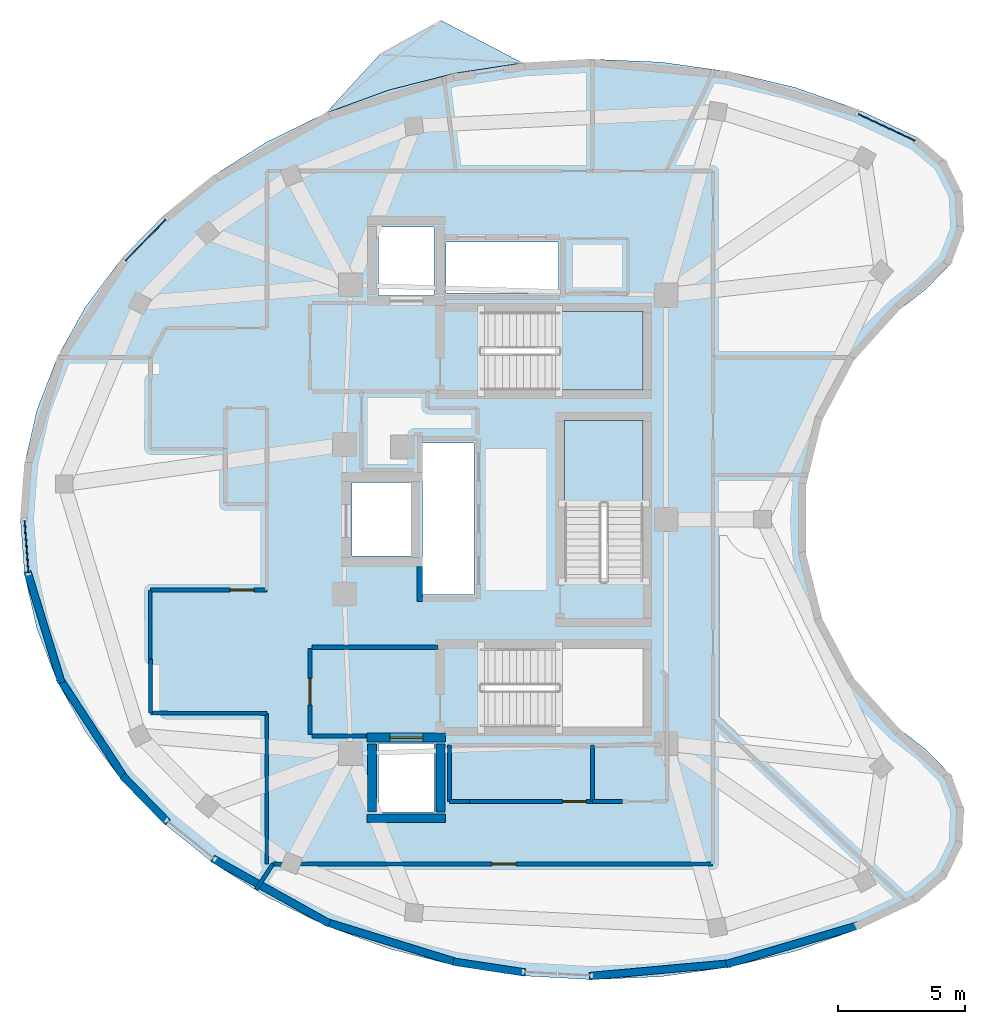
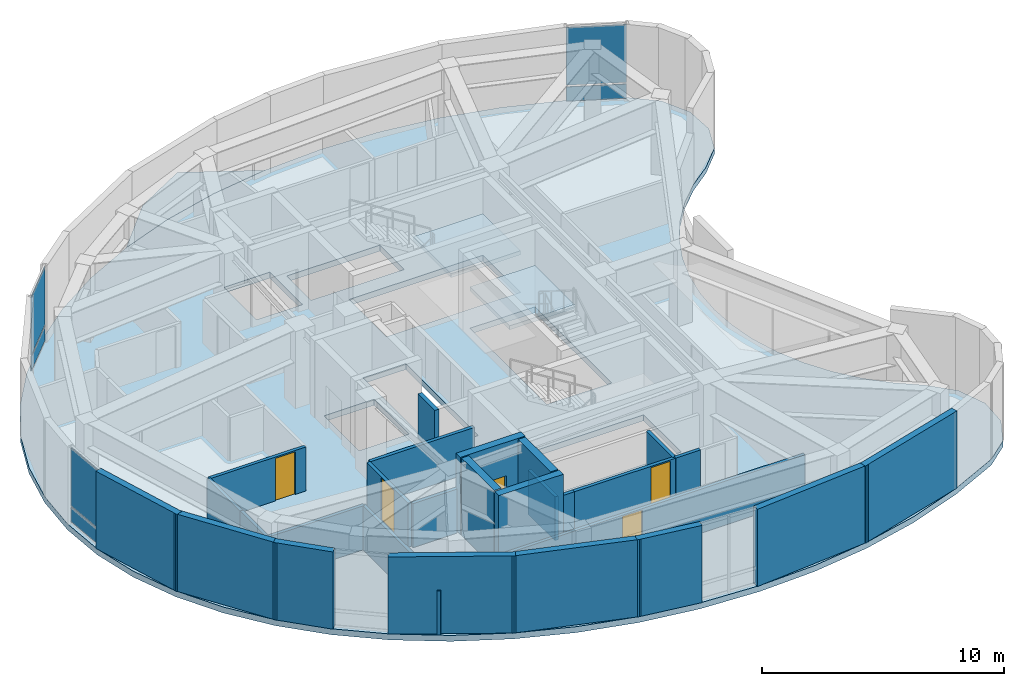
# One storey, part 3 of 8: 28 walls, 6 plates, 5 doors, 4 slabs, 5 openings, 5 elements without a shape of their own.
"""IFC4 building model written with IfcOpenShell, lengths in metres."""

from ifc_helpers import new_model, si_unit, direction, frame, frame_2d, origin, origin_2d, place, context, subcontext, project, spatial, polyline, rectangle, outline, extrude, material, layer, layer_set, type_object, element, fill, aggregate, save


model = new_model("IFC4")

# Units and contexts
model_context = context("Model", 3, precision=1e-05, world=origin(), true_north=direction((0.0, 1.0)))
body_context = subcontext(model_context, "Body", "Model", "MODEL_VIEW")
ifc_project = project(units=[si_unit("LENGTHUNIT", "METRE"), si_unit("AREAUNIT", "SQUARE_METRE"), si_unit("VOLUMEUNIT", "CUBIC_METRE"), si_unit("PLANEANGLEUNIT", "RADIAN"), si_unit("MASSUNIT", "GRAM", prefix="KILO")], contexts=[model_context])

# Site, building, storey
site_placement = place(None, origin())
site = spatial("IfcSite", under=ifc_project, at=site_placement, CompositionType="ELEMENT")
building_placement = place(site_placement, origin())
building = spatial("IfcBuilding", under=site, at=building_placement, Name="Korentha Bioscience Tower", CompositionType="ELEMENT")
storey_placement = place(building_placement, frame((0.0, 0.0, 314.39990234375)))
storey = spatial("IfcBuildingStorey", under=building, at=storey_placement, Name="L72", CompositionType="ELEMENT", Elevation=314.39990234375)

# Curtain wall, plates
ifc_material_1 = material(Name="Structural Silicone Glazed Aluminium", Category="aluminium")
ifc_layer_1 = layer(ifc_material_1, 0.219970703125, Name="Structural Silicone Glazed Aluminium")
ifc_layer_set_1 = layer_set([ifc_layer_1], Name="Structural Silicone Glazed Aluminium (CW-O1)")
curtain_wall_type = type_object("IfcCurtainWallType", Name="Sky Observatory Acoustic Curtain Wall CW-O1", PredefinedType="USERDEFINED", material=ifc_layer_set_1)
curtain_wall_1_placement = place(storey_placement, origin())
curtain_wall_1 = element("IfcCurtainWall", 1, at=curtain_wall_1_placement, inside=storey, type_object=curtain_wall_type, Name="L72 Curtain Wall 01", ObjectType="UNITISED", PredefinedType="USERDEFINED")
ifc_material_2 = material(Name="Triple-Glazed Low-E Insulated Glass", Category="glass")
ifc_layer_2 = layer(ifc_material_2, 0.0439453125, Name="Triple-Glazed Low-E Insulated Glass")
ifc_layer_set_2 = layer_set([ifc_layer_2], Name="Triple-Glazed Low-E Insulated Glass (GL-44)")
plate_type = type_object("IfcPlateType", Name="Glazed Panel 44mm", PredefinedType="CURTAIN_PANEL", material=ifc_layer_set_2)
plate_1_placement = place(storey_placement, frame((46.267578125, 42.4755859375, 0.08984375), z_axis=(0.0, 0.0, 1.0), x_axis=(-0.904397382054, 0.426691194347, 0.0)))
plate_1 = element("IfcPlate", 2, at=plate_1_placement, type_object=plate_type, Name="CW-L72-01 Bay 1 Glazed Panel 1", PredefinedType="CURTAIN_PANEL", context=body_context, shape_type="SweptSolid", body=[
    extrude(rectangle(XDim=2.501708984375, YDim=0.0439453125, at=origin_2d()), origin(), (0.0, 0.0, 1.0), 0.715087890625),
])
plate_2_placement = place(storey_placement, frame((46.267578125, 42.4755859375, 0.89501953125), z_axis=(0.0, 0.0, 1.0), x_axis=(-0.904397382054, 0.426691194347, 0.0)))
plate_2 = element("IfcPlate", 3, at=plate_2_placement, type_object=plate_type, Name="CW-L72-01 Bay 1 Glazed Panel 2", PredefinedType="CURTAIN_PANEL", context=body_context, shape_type="SweptSolid", body=[
    extrude(rectangle(XDim=2.501708984375, YDim=0.0439453125, at=origin_2d()), origin(), (0.0, 0.0, 1.0), 2.9150390625),
])
aggregate(curtain_wall_1, [plate_1, plate_2])

curtain_wall_2_placement = place(storey_placement, origin())
curtain_wall_2 = element("IfcCurtainWall", 4, at=curtain_wall_2_placement, inside=storey, type_object=curtain_wall_type, Name="L72 Curtain Wall 13", ObjectType="UNITISED", PredefinedType="USERDEFINED")
plate_3_placement = place(storey_placement, frame((17.0009765625, 38.0283203125, 0.08984375), z_axis=(0.0, 0.0, 1.0), x_axis=(-0.697567217128, -0.716519349067, 0.0)))
plate_3 = element("IfcPlate", 5, at=plate_3_placement, type_object=plate_type, Name="CW-L72-13 Bay 1 Glazed Panel 1", PredefinedType="CURTAIN_PANEL", context=body_context, shape_type="SweptSolid", body=[
    extrude(rectangle(XDim=2.30517578125, YDim=0.0439453125, at=origin_2d()), origin(), (0.0, 0.0, 1.0), 0.715087890625),
])
plate_4_placement = place(storey_placement, frame((17.0009765625, 38.0283203125, 0.89501953125), z_axis=(0.0, 0.0, 1.0), x_axis=(-0.697567217128, -0.716519349067, 0.0)))
plate_4 = element("IfcPlate", 6, at=plate_4_placement, type_object=plate_type, Name="CW-L72-13 Bay 1 Glazed Panel 2", PredefinedType="CURTAIN_PANEL", context=body_context, shape_type="SweptSolid", body=[
    extrude(rectangle(XDim=2.30517578125, YDim=0.0439453125, at=origin_2d()), origin(), (0.0, 0.0, 1.0), 2.9150390625),
])
aggregate(curtain_wall_2, [plate_3, plate_4])

curtain_wall_3_placement = place(storey_placement, origin())
curtain_wall_3 = element("IfcCurtainWall", 7, at=curtain_wall_3_placement, inside=storey, type_object=curtain_wall_type, Name="L72 Curtain Wall 19", ObjectType="UNITISED", PredefinedType="USERDEFINED")
plate_5_placement = place(storey_placement, frame((12.302490234375, 25.922119140625, 0.08984375), z_axis=(0.0, 0.0, 1.0), x_axis=(0.075073021346, -0.997178039001, 0.0)))
plate_5 = element("IfcPlate", 8, at=plate_5_placement, type_object=plate_type, Name="CW-L72-19 Bay 1 Glazed Panel 1", PredefinedType="CURTAIN_PANEL", context=body_context, shape_type="SweptSolid", body=[
    extrude(rectangle(XDim=2.085693359375, YDim=0.0439453125, at=origin_2d()), origin(), (0.0, 0.0, 1.0), 0.715087890625),
])
plate_6_placement = place(storey_placement, frame((12.302490234375, 25.922119140625, 0.89501953125), z_axis=(0.0, 0.0, 1.0), x_axis=(0.075073021346, -0.997178039001, 0.0)))
plate_6 = element("IfcPlate", 9, at=plate_6_placement, type_object=plate_type, Name="CW-L72-19 Bay 1 Glazed Panel 2", PredefinedType="CURTAIN_PANEL", context=body_context, shape_type="SweptSolid", body=[
    extrude(rectangle(XDim=2.085693359375, YDim=0.0439453125, at=origin_2d()), origin(), (0.0, 0.0, 1.0), 2.9150390625),
])
aggregate(curtain_wall_3, [plate_5, plate_6])

# Slab
ifc_material_3 = material(Name="Concrete C50", Category="concrete")
ifc_layer_3 = layer(ifc_material_3, 0.300048828125, Name="Concrete C50")
ifc_layer_set_3 = layer_set([ifc_layer_3], Name="Concrete C50 (SL-L300)")
slab_type_1 = type_object("IfcSlabType", Name="Laboratory Vibration-Controlled Slab 300", PredefinedType="FLOOR", material=ifc_layer_set_3)
slab_1_placement = place(storey_placement, frame((0.0, 0.0, -0.2998046875)))
element("IfcSlab", 10, at=slab_1_placement, inside=storey, type_object=slab_type_1, Name="L72 Tower Structural Floor Slab", PredefinedType="FLOOR", context=body_context, shape_type="SweptSolid", body=[
    extrude(outline(polyline([(47.512451171875, 42.065185546875), (45.15966796875, 43.17529296875), (42.6572265625, 44.052001953125), (40.04150390625, 44.68212890625), (37.35009765625, 45.05712890625), (34.62158203125, 45.17138671875), (31.895751953125, 45.0234375), (29.2119140625, 44.614990234375), (26.608642578125, 43.952392578125), (24.12353515625, 43.044921875), (21.792724609375, 41.90576171875), (19.649658203125, 40.551513671875), (17.72509765625, 39.00146484375), (16.04736328125, 37.2783203125), (14.64013671875, 35.406494140625), (13.524169921875, 33.41357421875), (12.715087890625, 31.327880859375), (12.22509765625, 29.1796875), (12.06103515625, 27.0), (12.22509765625, 24.8203125), (12.715087890625, 22.672119140625), (13.524169921875, 20.58642578125), (14.64013671875, 18.593505859375), (16.04736328125, 16.7216796875), (17.72509765625, 14.99853515625), (19.649658203125, 13.448486328125), (21.792724609375, 12.09423828125), (24.12353515625, 10.955078125), (26.608642578125, 10.047607421875), (29.2119140625, 9.385009765625), (31.895751953125, 8.9765625), (34.62158203125, 8.82861328125), (37.35009765625, 8.94287109375), (40.04150390625, 9.31787109375), (42.6572265625, 9.947998046875), (45.15966796875, 10.82470703125), (47.512451171875, 11.934814453125), (48.60546875, 12.85498046875), (49.240234375, 14.135498046875), (49.310791015625, 15.5625), (48.805908203125, 16.8994140625), (47.80908203125, 17.923095703125), (46.74853515625, 18.737060546875), (45.794921875, 19.673828125), (44.962890625, 20.72021484375), (44.264404296875, 21.85986328125), (43.7099609375, 23.076416015625), (43.30810546875, 24.351318359375), (43.064453125, 25.665771484375), (42.98291015625, 27.0), (43.064453125, 28.334228515625), (43.30810546875, 29.648681640625), (43.7099609375, 30.923583984375), (44.264404296875, 32.14013671875), (44.962890625, 33.27978515625), (45.794921875, 34.326171875), (46.74853515625, 35.262939453125), (47.80908203125, 36.076904296875), (48.805908203125, 37.1005859375), (49.310791015625, 38.4375), (49.240234375, 39.864501953125), (48.60546875, 41.14501953125), (47.512451171875, 42.065185546875)]), holes=[polyline([(30.25, 32.10009765625), (36.64990234375, 32.10009765625), (36.64990234375, 35.199951171875), (30.25, 35.199951171875), (30.25, 32.10009765625)]), polyline([(30.25, 18.800048828125), (36.64990234375, 18.800048828125), (36.64990234375, 21.89990234375), (30.25, 21.89990234375), (30.25, 18.800048828125)]), polyline([(36.64990234375, 24.550048828125), (36.64990234375, 30.89990234375), (33.550048828125, 30.89990234375), (33.550048828125, 24.550048828125), (36.64990234375, 24.550048828125)]), polyline([(27.929931640625, 24.030029296875), (29.969970703125, 24.030029296875), (29.969970703125, 30.02001953125), (27.929931640625, 30.02001953125), (27.929931640625, 24.030029296875)]), polyline([(28.860107421875, 35.93994140625), (33.31005859375, 35.93994140625), (33.31005859375, 37.9599609375), (28.860107421875, 37.9599609375), (28.860107421875, 35.93994140625)]), polyline([(26.199951171875, 15.449951171875), (28.39990234375, 15.449951171875), (28.39990234375, 18.14990234375), (26.199951171875, 18.14990234375), (26.199951171875, 15.449951171875)]), polyline([(26.199951171875, 35.85009765625), (28.39990234375, 35.85009765625), (28.39990234375, 38.550048828125), (26.199951171875, 38.550048828125), (26.199951171875, 35.85009765625)]), polyline([(25.14990234375, 25.550048828125), (27.550048828125, 25.550048828125), (27.550048828125, 28.449951171875), (25.14990234375, 28.449951171875), (25.14990234375, 25.550048828125)])]), origin(), (0.0, 0.0, 1.0), 0.2998046875),
])

# Stair, slab
ifc_material_4 = material(Name="Precast Concrete C50", Category="concrete")
stair_type = type_object("IfcStairType", Name="Core Exit Dog-Leg Stair 1450", PredefinedType="HALF_TURN_STAIR", material=ifc_material_4)
stair_1_placement = place(storey_placement, origin())
stair_1 = element("IfcStair", 11, at=stair_1_placement, inside=storey, type_object=stair_type, Name="L72 Tower North Pressurized Exit Stair ST-1", PredefinedType="HALF_TURN_STAIR")
ifc_layer_4 = layer(ifc_material_3, 0.199951171875, Name="Concrete C50")
ifc_layer_set_4 = layer_set([ifc_layer_4], Name="Concrete C50 (SL-LND)")
slab_type_2 = type_object("IfcSlabType", Name="Landing Slab 200", PredefinedType="LANDING", material=ifc_layer_set_4)
slab_2_placement = place(storey_placement, frame((0.0, 0.0, 1.900146484375)))
slab_2 = element("IfcSlab", 12, at=slab_2_placement, type_object=slab_type_2, Name="ST-1 landing 1", PredefinedType="LANDING", context=body_context, shape_type="SweptSolid", body=[
    extrude(outline(polyline([(33.330078125, 32.10009765625), (36.64990234375, 32.10009765625), (36.64990234375, 35.199951171875), (33.330078125, 35.199951171875), (33.330078125, 32.10009765625)])), origin(), (0.0, 0.0, 1.0), 0.199951171875),
])
aggregate(stair_1, [slab_2])

stair_2_placement = place(storey_placement, origin())
stair_2 = element("IfcStair", 13, at=stair_2_placement, inside=storey, type_object=stair_type, Name="L72 Tower Central Pressurized Exit Stair ST-3", PredefinedType="HALF_TURN_STAIR")
slab_3_placement = place(storey_placement, frame((0.0, 0.0, 1.900146484375)))
slab_3 = element("IfcSlab", 14, at=slab_3_placement, type_object=slab_type_2, Name="ST-3 landing 1", PredefinedType="LANDING", context=body_context, shape_type="SweptSolid", body=[
    extrude(outline(polyline([(36.64990234375, 27.6298828125), (36.64990234375, 30.89990234375), (33.550048828125, 30.89990234375), (33.550048828125, 27.6298828125), (36.64990234375, 27.6298828125)])), origin(), (0.0, 0.0, 1.0), 0.199951171875),
])
aggregate(stair_2, [slab_3])

# Slab
ifc_layer_5 = layer(ifc_material_3, 0.300048828125, Name="Concrete C50")
ifc_layer_set_5 = layer_set([ifc_layer_5], Name="Concrete C50 (OT-260)")
slab_type_3 = type_object("IfcSlabType", Name="Sky Observation Terrace Slab 260", PredefinedType="USERDEFINED", material=ifc_layer_set_5)
slab_4_placement = place(storey_placement, frame((0.0, 0.0, -0.2998046875)))
element("IfcSlab", 15, at=slab_4_placement, inside=storey, type_object=slab_type_3, Name="L72 Observation Terrace 01", ObjectType="BALCONY", PredefinedType="USERDEFINED", context=body_context, shape_type="SweptSolid", body=[
    extrude(outline(polyline([(24.12353515625, 43.044921875), (26.608642578125, 43.952392578125), (29.2119140625, 44.614990234375), (31.895751953125, 45.0234375), (28.681396484375, 46.698486328125), (26.2509765625, 45.357666015625), (24.12353515625, 43.044921875)])), origin(), (0.0, 0.0, 1.0), 0.2998046875),
])

# Wall, opening, door
ifc_material_5 = material(Name="Double-Stud Acoustic Gypsum", Category="gypsum")
ifc_layer_6 = layer(ifc_material_5, 0.14990234375, Name="Double-Stud Acoustic Gypsum")
ifc_layer_set_6 = layer_set([ifc_layer_6], Name="Double-Stud Acoustic Gypsum (IW-L150)")
wall_type_1 = type_object("IfcWallType", Name="Acoustic Laboratory Partition Wall 150", PredefinedType="PARTITIONING", material=ifc_layer_set_6)
wall_1_placement = place(storey_placement, frame((21.7900390625, 24.2099609375, 0.0), z_axis=(0.0, 0.0, 1.0), x_axis=(-1.0, 0.0, 0.0)))
wall_1 = element("IfcWall", 16, at=wall_1_placement, inside=storey, type_object=wall_type_1, Name="L72 Staff Pantry Kitchenette 01 Entrance Wall", PredefinedType="PARTITIONING", context=body_context, shape_type="SweptSolid", body=[
    extrude(rectangle(XDim=4.590087890625, YDim=0.14990234375, at=frame_2d((2.294921875, 0.0))), origin(), (0.0, 0.0, 1.0), 2.22021484375),
])
opening_1_placement = place(wall_1_placement, frame((0.501708984375, 0.0, 0.0)))
opening_1 = element("IfcOpeningElement", 17, at=opening_1_placement, cuts=wall_1, Name="Opening ID-10L", PredefinedType="OPENING", context=body_context, shape_type="SweptSolid", body=[
    extrude(rectangle(XDim=0.949951171875, YDim=2.14990234375, at=frame_2d((0.47509765625, 1.074951171875))), frame((0.0, 0.08984375, 0.0), z_axis=(0.0, -1.0, 0.0), x_axis=(1.0, 0.0, 0.0)), (0.0, 0.0, 1.0), 0.1796875),
])
ifc_material_6 = material(Name="Phenolic Laminate Timber Core", Category="wood")
door_type_1 = type_object("IfcDoorType", Name="Laboratory Single Leaf Door 950x2150 Left", OperationType="SINGLE_SWING_LEFT", PredefinedType="DOOR", material=ifc_material_6)
door_1_placement = place(opening_1_placement, origin())
door_1 = element("IfcDoor", 18, at=door_1_placement, inside=storey, type_object=door_type_1, Name="L72 Staff Pantry Kitchenette 01 Door", OperationType="SINGLE_SWING_LEFT", OverallHeight=2.14990234375, OverallWidth=0.949951171875, PredefinedType="DOOR", context=body_context, shape_type="SweptSolid", body=[
    extrude(rectangle(XDim=0.949951171875, YDim=2.14990234375, at=frame_2d((0.47509765625, 1.074951171875))), frame((0.0, 0.02490234375, 0.0), z_axis=(0.0, -1.0, 0.0), x_axis=(1.0, 0.0, 0.0)), (0.0, 0.0, 1.0), 0.050048828125),
])
fill(opening_1, door_1)

wall_2_placement = place(storey_placement, frame((22.041259765625, 13.389892578125, 0.0), z_axis=(0.0, 0.0, 1.0), x_axis=(1.0, 0.0, 0.0)))
wall_2 = element("IfcWall", 19, at=wall_2_placement, inside=storey, type_object=wall_type_1, Name="L72 Biomechanical Motion Analysis Lab 03 Entrance Wall", PredefinedType="PARTITIONING", context=body_context, shape_type="SweptSolid", body=[
    extrude(rectangle(XDim=17.358642578125, YDim=0.14990234375, at=frame_2d((8.67919921875, 0.0))), origin(), (0.0, 0.0, 1.0), 2.22021484375),
])
opening_2_placement = place(wall_2_placement, frame((8.633544921875, 0.0, 0.0)))
opening_2 = element("IfcOpeningElement", 20, at=opening_2_placement, cuts=wall_2, Name="Opening ID-10L", PredefinedType="OPENING", context=body_context, shape_type="SweptSolid", body=[
    extrude(rectangle(XDim=0.949951171875, YDim=2.14990234375, at=frame_2d((0.47509765625, 1.074951171875))), frame((0.0, 0.08984375, 0.0), z_axis=(0.0, -1.0, 0.0), x_axis=(1.0, 0.0, 0.0)), (0.0, 0.0, 1.0), 0.1796875),
])
door_2_placement = place(opening_2_placement, origin())
door_2 = element("IfcDoor", 21, at=door_2_placement, inside=storey, type_object=door_type_1, Name="L72 Biomechanical Motion Analysis Lab 03 Door", OperationType="SINGLE_SWING_LEFT", OverallHeight=2.14990234375, OverallWidth=0.949951171875, PredefinedType="DOOR", context=body_context, shape_type="SweptSolid", body=[
    extrude(rectangle(XDim=0.949951171875, YDim=2.14990234375, at=frame_2d((0.47509765625, 1.074951171875))), frame((0.0, 0.02490234375, 0.0), z_axis=(0.0, -1.0, 0.0), x_axis=(1.0, 0.0, 0.0)), (0.0, 0.0, 1.0), 0.050048828125),
])
fill(opening_2, door_2)

# Walls
wall_3_placement = place(storey_placement, frame((17.18994140625, 24.199951171875, 0.0), z_axis=(0.0, 0.0, 1.0), x_axis=(0.0, -1.0, 0.0)))
element("IfcWall", 22, at=wall_3_placement, inside=storey, type_object=wall_type_1, Name="L72 Interior Partition 026", PredefinedType="PARTITIONING", context=body_context, shape_type="SweptSolid", body=[
    extrude(rectangle(XDim=2.699951171875, YDim=0.14990234375, at=frame_2d((1.35009765625, 0.0))), origin(), (0.0, 0.0, 1.0), 2.22021484375),
])
wall_4_placement = place(storey_placement, frame((17.199951171875, 21.489990234375, 0.0), z_axis=(0.0, 0.0, 1.0), x_axis=(0.0, -1.0, 0.0)))
element("IfcWall", 23, at=wall_4_placement, inside=storey, type_object=wall_type_1, Name="L72 Interior Partition 028", PredefinedType="PARTITIONING", context=body_context, shape_type="SweptSolid", body=[
    extrude(rectangle(XDim=2.139892578125, YDim=0.14990234375, at=frame_2d((1.06982421875, 0.0))), origin(), (0.0, 0.0, 1.0), 2.22021484375),
])
wall_5_placement = place(storey_placement, frame((17.199951171875, 19.35009765625, 0.0), z_axis=(0.0, 0.0, 1.0), x_axis=(0.999997622206, -0.002180729882, 0.0)))
element("IfcWall", 24, at=wall_5_placement, inside=storey, type_object=wall_type_1, Name="L72 Interior Partition 029", PredefinedType="PARTITIONING", context=body_context, shape_type="SweptSolid", body=[
    extrude(rectangle(XDim=4.590087890625, YDim=0.14990234375, at=frame_2d((2.294921875, 0.0))), origin(), (0.0, 0.0, 1.0), 2.22021484375),
])
wall_6_placement = place(storey_placement, frame((21.7900390625, 19.340087890625, 0.0), z_axis=(0.0, 0.0, 1.0), x_axis=(0.0, -1.0, 0.0)))
element("IfcWall", 25, at=wall_6_placement, inside=storey, type_object=wall_type_1, Name="L72 Interior Partition 030", PredefinedType="PARTITIONING", context=body_context, shape_type="SweptSolid", body=[
    extrude(rectangle(XDim=5.940185546875, YDim=0.14990234375, at=frame_2d((2.97021484375, 0.0))), origin(), (0.0, 0.0, 1.0), 2.22021484375),
])
wall_7_placement = place(storey_placement, frame((22.03125, 13.389892578125, 0.0), z_axis=(0.0, 0.0, 1.0), x_axis=(-0.550618818577, -0.834756800888, 0.0)))
element("IfcWall", 26, at=wall_7_placement, inside=storey, type_object=wall_type_1, Name="L72 Interior Partition 031", PredefinedType="PARTITIONING", context=body_context, shape_type="SweptSolid", body=[
    extrude(rectangle(XDim=1.202880859375, YDim=0.14990234375, at=frame_2d((0.6015625, 0.0))), origin(), (0.0, 0.0, 1.0), 2.22021484375),
])
wall_8_placement = place(storey_placement, frame((35.840087890625, 15.860107421875, 0.0), z_axis=(0.0, 0.0, 1.0), x_axis=(-1.0, 0.0, 0.0)))
element("IfcWall", 27, at=wall_8_placement, inside=storey, type_object=wall_type_1, Name="L72 Interior Partition 039", PredefinedType="PARTITIONING", context=body_context, shape_type="SweptSolid", body=[
    extrude(rectangle(XDim=1.18212890625, YDim=0.14990234375, at=frame_2d((0.591064453125, 0.0))), origin(), (0.0, 0.0, 1.0), 2.22021484375),
])

# Wall, opening, door
ifc_material_7 = material(Name="Gypsum-Clad Steel Stud", Category="steel")
ifc_layer_7 = layer(ifc_material_7, 0.159912109375, Name="Gypsum-Clad Steel Stud")
ifc_layer_set_7 = layer_set([ifc_layer_7], Name="Gypsum-Clad Steel Stud (IW-C160)")
wall_type_2 = type_object("IfcWallType", Name="Fire-Rated Corridor Partition Wall 160", PredefinedType="PARTITIONING", material=ifc_layer_set_7)
wall_9_placement = place(storey_placement, frame((23.5, 18.5, 0.0), z_axis=(0.0, 0.0, 1.0), x_axis=(0.0, 1.0, 0.0)))
wall_9 = element("IfcWall", 28, at=wall_9_placement, inside=storey, type_object=wall_type_2, Name="L72 FFLS-CW Rated Enclosure Wall", PredefinedType="PARTITIONING", context=body_context, shape_type="SweptSolid", body=[
    extrude(rectangle(XDim=3.39990234375, YDim=0.159912109375, at=frame_2d((1.699951171875, 0.0))), origin(), (0.0, 0.0, 1.0), 2.22021484375),
])
opening_3_placement = place(wall_9_placement, frame((1.175048828125, 0.0, 0.0)))
opening_3 = element("IfcOpeningElement", 29, at=opening_3_placement, cuts=wall_9, Name="Opening FD-90L", PredefinedType="OPENING", context=body_context, shape_type="SweptSolid", body=[
    extrude(rectangle(XDim=1.050048828125, YDim=2.14990234375, at=frame_2d((0.52490234375, 1.074951171875))), frame((0.0, 0.0947265625, 0.0), z_axis=(0.0, -1.0, 0.0), x_axis=(1.0, 0.0, 0.0)), (0.0, 0.0, 1.0), 0.189697265625),
])
ifc_material_8 = material(Name="Powder-Coated Fire-Rated Steel", Category="steel")
door_type_2 = type_object("IfcDoorType", Name="Stairwell Fire Exit Door 1050x2150 Left", OperationType="SINGLE_SWING_LEFT", PredefinedType="DOOR", material=ifc_material_8)
door_3_placement = place(opening_3_placement, origin())
door_3 = element("IfcDoor", 30, at=door_3_placement, inside=storey, type_object=door_type_2, Name="L72 South Firefighting Lobby Door", OperationType="SINGLE_SWING_LEFT", OverallHeight=2.14990234375, OverallWidth=1.050048828125, PredefinedType="DOOR", context=body_context, shape_type="SweptSolid", body=[
    extrude(rectangle(XDim=1.050048828125, YDim=2.14990234375, at=frame_2d((0.52490234375, 1.074951171875))), frame((0.0, 0.02490234375, 0.0), z_axis=(0.0, -1.0, 0.0), x_axis=(1.0, 0.0, 0.0)), (0.0, 0.0, 1.0), 0.050048828125),
])
fill(opening_3, door_3)

# Walls
wall_10_placement = place(storey_placement, frame((23.580078125, 21.949951171875, 0.0), z_axis=(0.0, 0.0, 1.0), x_axis=(1.0, 0.0, 0.0)))
element("IfcWall", 31, at=wall_10_placement, inside=storey, type_object=wall_type_2, Name="L72 Firefighting Lobby Return Wall FFLS-N", PredefinedType="PARTITIONING", context=body_context, shape_type="SweptSolid", body=[
    extrude(rectangle(XDim=4.969970703125, YDim=0.159912109375, at=frame_2d((2.48486328125, 0.0))), origin(), (0.0, 0.0, 1.0), 2.22021484375),
])
wall_11_placement = place(storey_placement, frame((23.580078125, 18.449951171875, 0.0), z_axis=(0.0, 0.0, 1.0), x_axis=(1.0, 0.0, 0.0)))
element("IfcWall", 32, at=wall_11_placement, inside=storey, type_object=wall_type_2, Name="L72 Firefighting Lobby Return Wall FFLS-S", PredefinedType="PARTITIONING", context=body_context, shape_type="SweptSolid", body=[
    extrude(rectangle(XDim=2.119873046875, YDim=0.159912109375, at=frame_2d((1.06005859375, 0.0))), origin(), (0.0, 0.0, 1.0), 2.22021484375),
])

# Wall, opening, door
wall_12_placement = place(storey_placement, frame((34.64794921875, 15.860107421875, 0.0), z_axis=(0.0, 0.0, 1.0), x_axis=(-1.0, 0.0, 0.0)))
wall_12 = element("IfcWall", 33, at=wall_12_placement, inside=storey, type_object=wall_type_2, Name="L72 Biospecimen Archive Store 02 Entrance Wall", PredefinedType="PARTITIONING", context=body_context, shape_type="SweptSolid", body=[
    extrude(rectangle(XDim=4.847900390625, YDim=0.159912109375, at=frame_2d((2.423828125, 0.0))), origin(), (0.0, 0.0, 1.0), 2.22021484375),
])
opening_4_placement = place(wall_12_placement, frame((0.239990234375, 0.0, 0.0)))
opening_4 = element("IfcOpeningElement", 34, at=opening_4_placement, cuts=wall_12, Name="Opening ID-10R", PredefinedType="OPENING", context=body_context, shape_type="SweptSolid", body=[
    extrude(rectangle(XDim=0.949951171875, YDim=2.14990234375, at=frame_2d((0.47509765625, 1.074951171875))), frame((0.0, 0.0947265625, 0.0), z_axis=(0.0, -1.0, 0.0), x_axis=(1.0, 0.0, 0.0)), (0.0, 0.0, 1.0), 0.189697265625),
])
door_type_3 = type_object("IfcDoorType", Name="Laboratory Single Leaf Door 950x2150 Right", OperationType="SINGLE_SWING_RIGHT", PredefinedType="DOOR", material=ifc_material_6)
door_4_placement = place(opening_4_placement, origin())
door_4 = element("IfcDoor", 35, at=door_4_placement, inside=storey, type_object=door_type_3, Name="L72 Biospecimen Archive Store 02 Door", OperationType="SINGLE_SWING_RIGHT", OverallHeight=2.14990234375, OverallWidth=0.949951171875, PredefinedType="DOOR", context=body_context, shape_type="SweptSolid", body=[
    extrude(rectangle(XDim=0.949951171875, YDim=2.14990234375, at=frame_2d((0.47509765625, 1.074951171875))), frame((0.0, 0.02490234375, 0.0), z_axis=(0.0, -1.0, 0.0), x_axis=(1.0, 0.0, 0.0)), (0.0, 0.0, 1.0), 0.050048828125),
])
fill(opening_4, door_4)

# Walls
wall_13_placement = place(storey_placement, frame((34.64794921875, 18.090087890625, 0.0), z_axis=(0.0, 0.0, 1.0), x_axis=(0.0, -1.0, 0.0)))
element("IfcWall", 36, at=wall_13_placement, inside=storey, type_object=wall_type_2, Name="L72 Interior Partition 033", PredefinedType="PARTITIONING", context=body_context, shape_type="SweptSolid", body=[
    extrude(rectangle(XDim=2.22998046875, YDim=0.159912109375, at=frame_2d((1.114990234375, 0.0))), origin(), (0.0, 0.0, 1.0), 2.22021484375),
])
wall_14_placement = place(storey_placement, frame((29.800048828125, 15.860107421875, 0.0), z_axis=(0.0, 0.0, 1.0), x_axis=(-1.0, 0.0, 0.0)))
element("IfcWall", 37, at=wall_14_placement, inside=storey, type_object=wall_type_2, Name="L72 Interior Partition 034", PredefinedType="PARTITIONING", context=body_context, shape_type="SweptSolid", body=[
    extrude(rectangle(XDim=0.800048828125, YDim=0.159912109375, at=frame_2d((0.39990234375, 0.0))), origin(), (0.0, 0.0, 1.0), 2.22021484375),
])
wall_15_placement = place(storey_placement, frame((29.0, 15.860107421875, 0.0), z_axis=(0.0, 0.0, 1.0), x_axis=(0.0, 1.0, 0.0)))
element("IfcWall", 38, at=wall_15_placement, inside=storey, type_object=wall_type_2, Name="L72 Interior Partition 035", PredefinedType="PARTITIONING", context=body_context, shape_type="SweptSolid", body=[
    extrude(rectangle(XDim=2.22998046875, YDim=0.159912109375, at=frame_2d((1.114990234375, 0.0))), origin(), (0.0, 0.0, 1.0), 2.22021484375),
])
ifc_material_9 = material(Name="Honed Limestone Precast Concrete C40", Category="masonry")
ifc_layer_8 = layer(ifc_material_9, 0.300048828125, Name="Honed Limestone Precast Concrete C40")
ifc_layer_set_8 = layer_set([ifc_layer_8], Name="Honed Limestone Precast Concrete C40 (EW-ST300)")
wall_type_3 = type_object("IfcWallType", Name="Honed Limestone Cavity Spandrel Wall 300", PredefinedType="STANDARD", material=ifc_layer_set_8)
wall_16_placement = place(storey_placement, frame((12.33544921875, 24.93798828125, 0.0), z_axis=(0.0, 0.0, 1.0), x_axis=(0.293311854667, -0.956016817797, 0.0)))
element("IfcWall", 39, at=wall_16_placement, inside=storey, type_object=wall_type_3, Name="L72 Limestone Perimeter Closure Wall 20", PredefinedType="STANDARD", context=body_context, shape_type="SweptSolid", body=[
    extrude(rectangle(XDim=4.5888671875, YDim=0.300048828125, at=frame_2d((2.29443359375, 0.0))), origin(), (0.0, 0.0, 1.0), 3.900146484375),
])
wall_17_placement = place(storey_placement, frame((13.59765625, 20.72998046875, 0.0), z_axis=(0.0, 0.0, 1.0), x_axis=(0.546723072071, -0.837313491152, 0.0)))
element("IfcWall", 40, at=wall_17_placement, inside=storey, type_object=wall_type_3, Name="L72 Limestone Perimeter Closure Wall 22", PredefinedType="STANDARD", context=body_context, shape_type="SweptSolid", body=[
    extrude(rectangle(XDim=4.775390625, YDim=0.300048828125, at=frame_2d((2.3876953125, 0.0))), origin(), (0.0, 0.0, 1.0), 3.900146484375),
])
wall_18_placement = place(storey_placement, frame((16.091796875, 16.876708984375, 0.0), z_axis=(0.0, 0.0, 1.0), x_axis=(0.697621825822, -0.716466180735, 0.0)))
element("IfcWall", 41, at=wall_18_placement, inside=storey, type_object=wall_type_3, Name="L72 Limestone Perimeter Closure Wall 24", PredefinedType="STANDARD", context=body_context, shape_type="SweptSolid", body=[
    extrude(rectangle(XDim=2.565185546875, YDim=0.300048828125, at=frame_2d((1.28271484375, 0.0))), origin(), (0.0, 0.0, 1.0), 3.900146484375),
])
wall_19_placement = place(storey_placement, frame((19.64794921875, 13.609619140625, 0.0), z_axis=(0.0, 0.0, 1.0), x_axis=(0.87350676692, -0.486812004932, 0.0)))
element("IfcWall", 42, at=wall_19_placement, inside=storey, type_object=wall_type_3, Name="L72 Limestone Perimeter Closure Wall 26", PredefinedType="STANDARD", context=body_context, shape_type="SweptSolid", body=[
    extrude(rectangle(XDim=5.281982421875, YDim=0.300048828125, at=frame_2d((2.64111328125, 0.0))), origin(), (0.0, 0.0, 1.0), 3.900146484375),
])
wall_20_placement = place(storey_placement, frame((24.08837890625, 11.112548828125, 0.0), z_axis=(0.0, 0.0, 1.0), x_axis=(0.955535200816, -0.29487705913, 0.0)))
element("IfcWall", 43, at=wall_20_placement, inside=storey, type_object=wall_type_3, Name="L72 Limestone Perimeter Closure Wall 28", PredefinedType="STANDARD", context=body_context, shape_type="SweptSolid", body=[
    extrude(rectangle(XDim=5.485107421875, YDim=0.300048828125, at=frame_2d((2.74267578125, 0.0))), origin(), (0.0, 0.0, 1.0), 3.900146484375),
])
wall_21_placement = place(storey_placement, frame((29.15380859375, 9.535400390625, 0.0), z_axis=(0.0, 0.0, 1.0), x_axis=(0.988626523862, -0.150391476873, 0.0)))
element("IfcWall", 44, at=wall_21_placement, inside=storey, type_object=wall_type_3, Name="L72 Limestone Perimeter Closure Wall 30", PredefinedType="STANDARD", context=body_context, shape_type="SweptSolid", body=[
    extrude(rectangle(XDim=2.875, YDim=0.300048828125, at=frame_2d((1.4375, 0.0))), origin(), (0.0, 0.0, 1.0), 3.900146484375),
])
wall_22_placement = place(storey_placement, frame((34.529296875, 8.960693359375, 0.0), z_axis=(0.0, 0.0, 1.0), x_axis=(0.995950163058, 0.089907022552, 0.0)))
element("IfcWall", 45, at=wall_22_placement, inside=storey, type_object=wall_type_3, Name="L72 Limestone Perimeter Closure Wall 32", PredefinedType="STANDARD", context=body_context, shape_type="SweptSolid", body=[
    extrude(rectangle(XDim=5.60205078125, YDim=0.300048828125, at=frame_2d((2.801025390625, 0.0))), origin(), (0.0, 0.0, 1.0), 3.900146484375),
])
wall_23_placement = place(storey_placement, frame((39.92529296875, 9.429443359375, 0.0), z_axis=(0.0, 0.0, 1.0), x_axis=(0.959276315934, 0.282469378321, 0.0)))
element("IfcWall", 46, at=wall_23_placement, inside=storey, type_object=wall_type_3, Name="L72 Limestone Perimeter Closure Wall 34", PredefinedType="STANDARD", context=body_context, shape_type="SweptSolid", body=[
    extrude(rectangle(XDim=5.495361328125, YDim=0.300048828125, at=frame_2d((2.74755859375, 0.0))), origin(), (0.0, 0.0, 1.0), 3.900146484375),
])
ifc_material_10 = material(Name="Autoclaved Aerated Concrete Block C25", Category="concrete")
ifc_layer_9 = layer(ifc_material_10, 0.199951171875, Name="Autoclaved Aerated Concrete Block C25")
ifc_layer_set_9 = layer_set([ifc_layer_9], Name="Autoclaved Aerated Concrete Block C25 (IW-S200)")
wall_type_4 = type_object("IfcWallType", Name="Lift and Riser Shaft Enclosure Wall 200", PredefinedType="PARTITIONING", material=ifc_layer_set_9)
wall_24_placement = place(storey_placement, frame((27.830078125, 23.75, 0.0), z_axis=(0.0, 0.0, 1.0), x_axis=(0.0, 1.0, 0.0)))
element("IfcWall", 47, at=wall_24_placement, inside=storey, type_object=wall_type_4, Name="L72 Lift Bank HIGH Shaft Wall -XS", PredefinedType="PARTITIONING", context=body_context, shape_type="SweptSolid", body=[
    extrude(rectangle(XDim=1.39111328125, YDim=0.199951171875, at=frame_2d((0.695556640625, 0.0))), origin(), (0.0, 0.0, 1.0), 2.22021484375),
])
ifc_layer_10 = layer(ifc_material_3, 0.35009765625, Name="Concrete C50")
ifc_layer_set_10 = layer_set([ifc_layer_10], Name="Concrete C50 (CW-C50)")
wall_type_5 = type_object("IfcWallType", Name="Upper Core Shear Wall 350", PredefinedType="SHEAR", material=ifc_layer_set_10)
wall_25_placement = place(storey_placement, frame((25.75, 15.199951171875, 0.0), z_axis=(0.0, 0.0, 1.0), x_axis=(1.0, 0.0, 0.0)))
element("IfcWall", 48, at=wall_25_placement, inside=storey, type_object=wall_type_5, Name="L72 Core Shear Wall FFL1-S", PredefinedType="SHEAR", context=body_context, shape_type="SweptSolid", body=[
    extrude(rectangle(XDim=3.10009765625, YDim=0.35009765625, at=frame_2d((1.550048828125, 0.0))), origin(), (0.0, 0.0, 1.0), 3.900146484375),
])

# Wall, opening, door
wall_26_placement = place(storey_placement, frame((25.75, 18.3798828125, 0.0), z_axis=(0.0, 0.0, 1.0), x_axis=(1.0, 0.0, 0.0)))
wall_26 = element("IfcWall", 49, at=wall_26_placement, inside=storey, type_object=wall_type_5, Name="L72 Core Shear Wall FFL1-N", PredefinedType="SHEAR", context=body_context, shape_type="SweptSolid", body=[
    extrude(rectangle(XDim=3.10009765625, YDim=0.35009765625, at=frame_2d((1.550048828125, 0.0))), origin(), (0.0, 0.0, 1.0), 3.900146484375),
])
opening_5_placement = place(wall_26_placement, frame((0.89990234375, 0.0, 0.0)))
opening_5 = element("IfcOpeningElement", 50, at=opening_5_placement, cuts=wall_26, Name="Opening LD-13", PredefinedType="OPENING", context=body_context, shape_type="SweptSolid", body=[
    extrude(rectangle(XDim=1.300048828125, YDim=2.199951171875, at=frame_2d((0.64990234375, 1.10009765625))), frame((0.0, 0.18994140625, 0.0), z_axis=(0.0, -1.0, 0.0), x_axis=(1.0, 0.0, 0.0)), (0.0, 0.0, 1.0), 0.3798828125),
])
ifc_material_11 = material(Name="Brushed Stainless Steel 316", Category="steel")
door_type_4 = type_object("IfcDoorType", Name="Service & Firefighting Lift Landing Door 1300x2300", OperationType="DOUBLE_DOOR_SLIDING", PredefinedType="DOOR", material=ifc_material_11)
door_5_placement = place(opening_5_placement, origin())
door_5 = element("IfcDoor", 51, at=door_5_placement, inside=storey, type_object=door_type_4, Name="L72 FFL-1 Sliding Lift Landing Door", OperationType="DOUBLE_DOOR_SLIDING", OverallHeight=2.199951171875, OverallWidth=1.300048828125, PredefinedType="DOOR", context=body_context, shape_type="SweptSolid", body=[
    extrude(rectangle(XDim=1.300048828125, YDim=2.199951171875, at=frame_2d((0.64990234375, 1.10009765625))), frame((0.0, 0.02490234375, 0.0), z_axis=(0.0, -1.0, 0.0), x_axis=(1.0, 0.0, 0.0)), (0.0, 0.0, 1.0), 0.050048828125),
])
fill(opening_5, door_5)

# Walls
for number, where, z_axis, x_axis, name in (
    (52, (25.949951171875, 15.43994140625, 0.0), (0.0, 0.0, 1.0), (0.0, 1.0, 0.0), "L72 Core Shear Wall FFL1-W"),
    (53, (28.64990234375, 15.43994140625, 0.0), (0.0, 0.0, 1.0), (0.0, 1.0, 0.0), "L72 Core Shear Wall FFL1-E"),
):
    element("IfcWall", number, at=place(storey_placement, frame(where, z_axis=z_axis, x_axis=x_axis)), inside=storey, type_object=wall_type_5, Name=name, PredefinedType="SHEAR", context=body_context, shape_type="SweptSolid", body=[
        extrude(rectangle(XDim=2.699951171875, YDim=0.35009765625, at=frame_2d((1.35009765625, 0.0))), origin(), (0.0, 0.0, 1.0), 3.900146484375),
    ])

save(model, "model.ifc")
